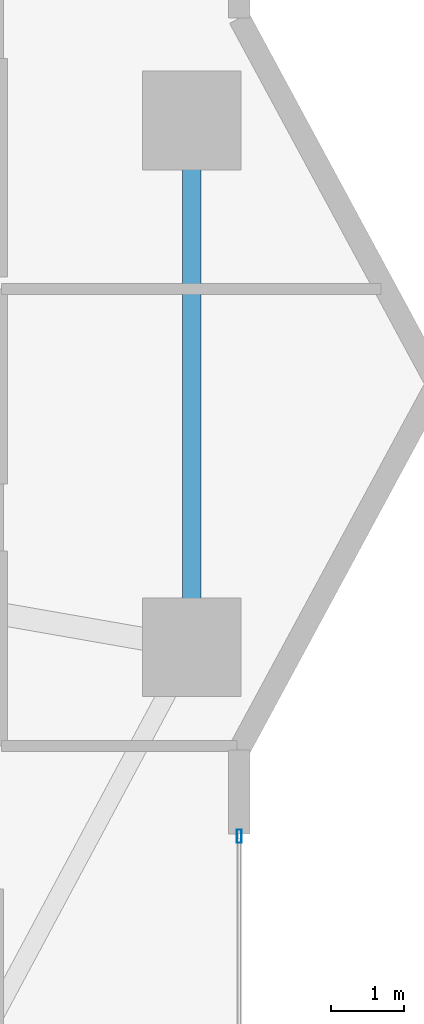
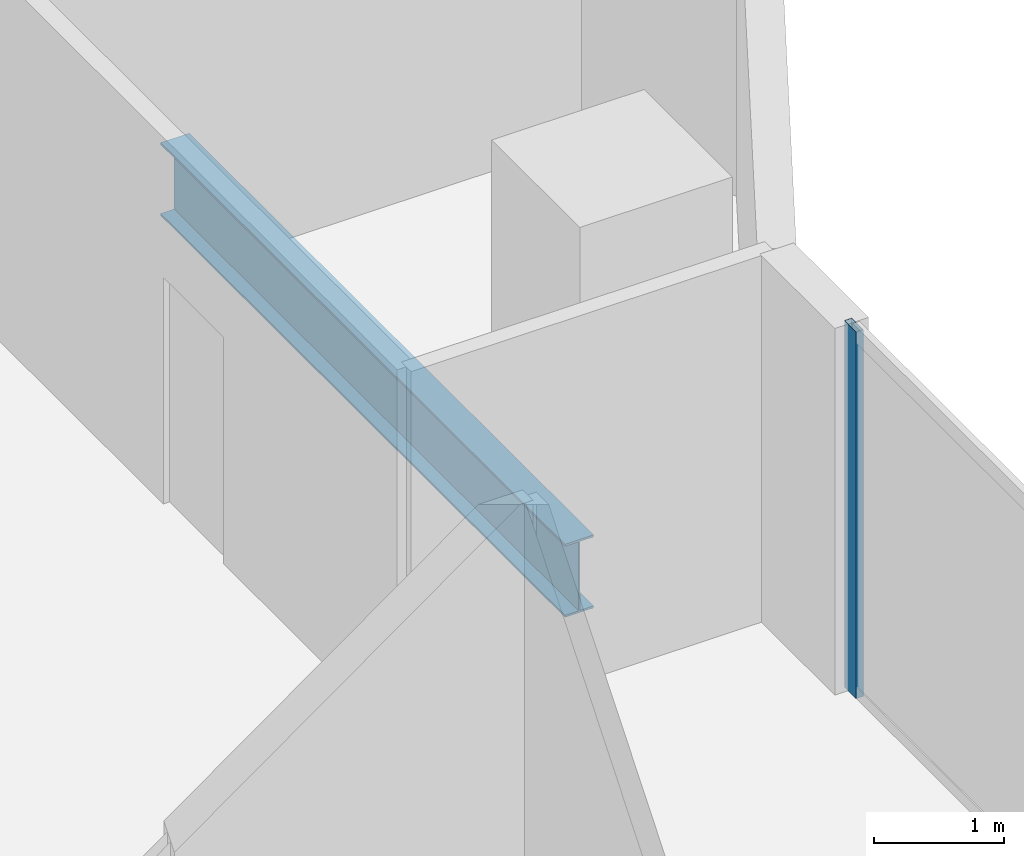
# One storey, part 13 of 27: 1 beam, 1 member, 1 element without a shape of its own.
"""IFC4 building model written with IfcOpenShell, lengths in metres."""

from ifc_helpers import new_model, si_unit, direction, frame, origin, origin_2d, place, context, subcontext, project, spatial, hollow_rectangle, i_section, extrude, material, layer, layer_set, material_profile, profile_set, type_object, element, aggregate, save


model = new_model("IFC4")

# Units and contexts
model_context = context("Model", 3, precision=1e-05, world=origin(), true_north=direction((0.0, 1.0)))
body_context = subcontext(model_context, "Body", "Model", "MODEL_VIEW")
ifc_project = project(units=[si_unit("LENGTHUNIT", "METRE"), si_unit("AREAUNIT", "SQUARE_METRE"), si_unit("VOLUMEUNIT", "CUBIC_METRE"), si_unit("PLANEANGLEUNIT", "RADIAN"), si_unit("MASSUNIT", "GRAM", prefix="KILO")], contexts=[model_context])

# Site, building, storey
site_placement = place(None, origin())
site = spatial("IfcSite", under=ifc_project, at=site_placement, CompositionType="ELEMENT")
building_placement = place(site_placement, origin())
building = spatial("IfcBuilding", under=site, at=building_placement, Name="Zuhayl Quay Hotel", CompositionType="ELEMENT")
storey_placement = place(building_placement, frame((0.0, 0.0, 102.949951171875)))
storey = spatial("IfcBuildingStorey", under=building, at=storey_placement, Name="L25", CompositionType="ELEMENT", Elevation=102.949951171875)

# Beam
ifc_material_1 = material(Name="Steel ASTM A992 Grade 50", Category="steel")
ifc_material_profile_1 = material_profile(ifc_material_1, i_section(OverallWidth=0.25390625, OverallDepth=0.68310546875, WebThickness=0.012451171875, FlangeThickness=0.018798828125, at=origin_2d()), Name="W27X94")
ifc_profile_set_1 = profile_set([ifc_material_profile_1], Name="Steel ASTM A992 Grade 50")
beam_type = type_object("IfcBeamType", Name="BM_B2_W27X94", PredefinedType="BEAM", material=ifc_profile_set_1)
beam_placement = place(storey_placement, frame((23.25, 3.39990234375, -0.5615234375), z_axis=(0.0, 1.0, 0.0), x_axis=(-1.0, 0.0, 0.0)))
element("IfcBeam", 1, at=beam_placement, inside=storey, type_object=beam_type, Name="L25 Floor Beam RG_L25_05", PredefinedType="BEAM", context=body_context, shape_type="SweptSolid", body=[
    extrude(i_section(OverallWidth=0.25390625, OverallDepth=0.68310546875, WebThickness=0.012451171875, FlangeThickness=0.018798828125, at=origin_2d()), origin(), (0.0, 0.0, 1.0), 6.2001953125),
])

# Curtain wall, member
ifc_material_2 = material(Name="Anodised Aluminium 6063-T6", Category="aluminium")
ifc_layer = layer(ifc_material_2, 0.179931640625, Name="Anodised Aluminium 6063-T6", Category="aluminium")
ifc_layer_set = layer_set([ifc_layer], Name="Anodised Aluminium 6063-T6")
curtain_wall_type = type_object("IfcCurtainWallType", Name="CW_SYS_Z2", PredefinedType="USERDEFINED", material=ifc_layer_set)
curtain_wall_placement = place(storey_placement, origin())
curtain_wall = element("IfcCurtainWall", 2, at=curtain_wall_placement, inside=storey, type_object=curtain_wall_type, Name="L25 Curtain Wall ENV_L25_E14_CW1", ObjectType="UNITISED CURTAIN WALL", PredefinedType="USERDEFINED")
ifc_material_3 = material(Name="Black-anodised aluminium 6063-T6", Category="aluminium")
ifc_material_profile_2 = material_profile(ifc_material_3, hollow_rectangle(XDim=0.06494140625, YDim=0.179931640625, WallThickness=0.00341796875, at=origin_2d()), Name="ALU180X65")
ifc_profile_set_2 = profile_set([ifc_material_profile_2], Name="Black-anodised aluminium 6063-T6")
member_type = type_object("IfcMemberType", Name="MB_CW_MUL_180", PredefinedType="MULLION", material=ifc_profile_set_2)
member_placement = place(storey_placement, frame((23.89990234375, 0.3173828125, 0.0), z_axis=(0.0, 0.0, 1.0), x_axis=(1.0, 0.0, 0.0)))
member = element("IfcMember", 3, at=member_placement, type_object=member_type, Name="CW-Z2 mullion 1", PredefinedType="MULLION", context=body_context, shape_type="SweptSolid", body=[
    extrude(hollow_rectangle(XDim=0.06494140625, YDim=0.179931640625, WallThickness=0.00341796875, at=origin_2d()), origin(), (0.0, 0.0, 1.0), 3.429931640625),
])
aggregate(curtain_wall, [member])

save(model, "model.ifc")
